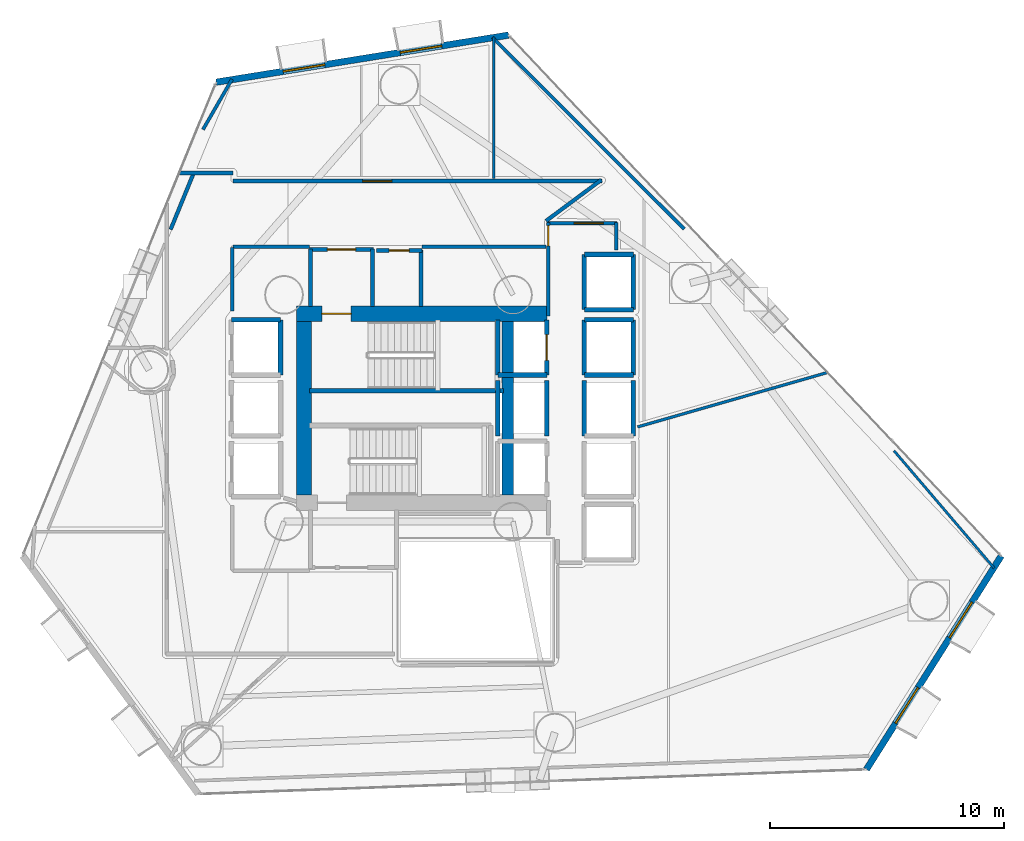
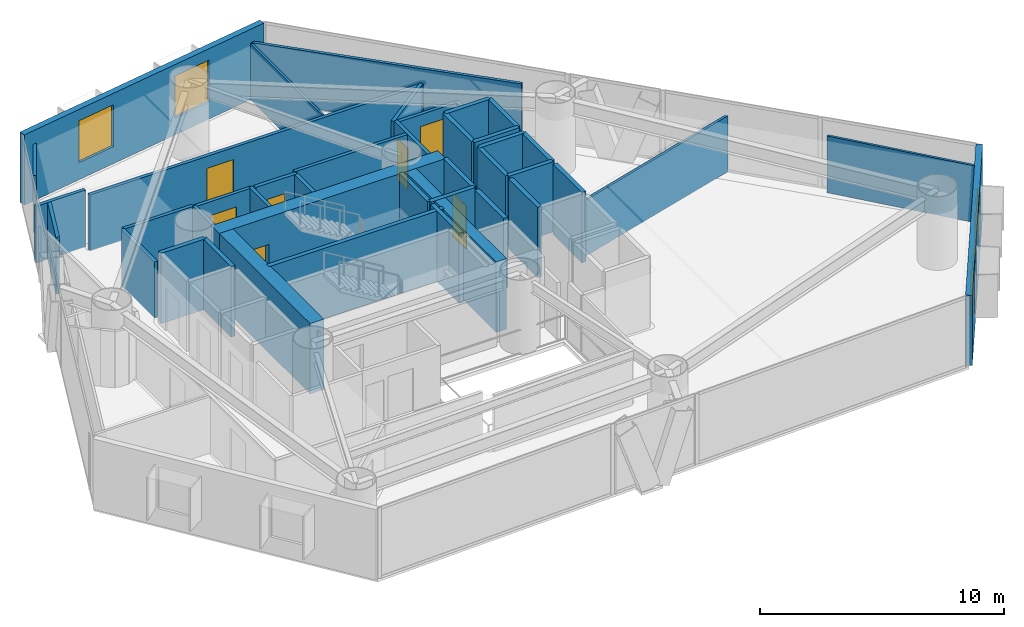
# One storey, part 18 of 23: 43 walls, 7 doors, 4 windows, 11 openings.
"""IFC4 building model written with IfcOpenShell, lengths in metres."""

from ifc_helpers import new_model, si_unit, direction, frame, frame_2d, origin, place, context, subcontext, project, spatial, rectangle, extrude, material, layer, layer_set, type_object, element, fill, save


model = new_model("IFC4")

# Units and contexts
model_context = context("Model", 3, precision=1e-05, world=origin(), true_north=direction((0.0, 1.0)))
body_context = subcontext(model_context, "Body", "Model", "MODEL_VIEW")
ifc_project = project(units=[si_unit("LENGTHUNIT", "METRE"), si_unit("AREAUNIT", "SQUARE_METRE"), si_unit("VOLUMEUNIT", "CUBIC_METRE"), si_unit("PLANEANGLEUNIT", "RADIAN"), si_unit("MASSUNIT", "GRAM", prefix="KILO")], contexts=[model_context])

# Site, building, storey
site_placement = place(None, origin())
site = spatial("IfcSite", under=ifc_project, at=site_placement, CompositionType="ELEMENT")
building_placement = place(site_placement, origin())
building = spatial("IfcBuilding", under=site, at=building_placement, Name="Qianvela Tower", CompositionType="ELEMENT")
storey_placement = place(building_placement, frame((0.0, 0.0, 52.5)))
storey = spatial("IfcBuildingStorey", under=building, at=storey_placement, Name="L12", CompositionType="ELEMENT", Elevation=52.5)

# Wall, openings, windows
ifc_material_1 = material(Name="Terracotta Cladding on Concrete C40", Category="masonry")
ifc_layer_1 = layer(ifc_material_1, 0.280029296875)
ifc_layer_set_1 = layer_set([ifc_layer_1], Name="Terracotta Cladding on Concrete C40")
wall_type_1 = type_object("IfcWallType", Name="TERRACOTTA-WALL-280", PredefinedType="SOLIDWALL", material=ifc_layer_set_1)
wall_1_placement = place(storey_placement, frame((53.524658203125, 13.2392578125, 0.0), z_axis=(0.0, 0.0, 1.0), x_axis=(0.533819575833, 0.84559840377, 0.0)))
wall_1 = element("IfcWall", 1, at=wall_1_placement, inside=storey, type_object=wall_type_1, Name="L12 Terracotta Chamfer Facet Wall 1", PredefinedType="SOLIDWALL", context=body_context, shape_type="SweptSolid", body=[
    extrude(rectangle(XDim=10.80615234375, YDim=0.280029296875, at=frame_2d((5.403076171875, 0.0))), origin(), (0.0, 0.0, 1.0), 3.52001953125),
])
opening_1_placement = place(wall_1_placement, frame((2.341796875, 0.0, 0.85009765625)))
opening_1 = element("IfcOpeningElement", 2, at=opening_1_placement, cuts=wall_1, Name="Opening W-01", PredefinedType="OPENING", context=body_context, shape_type="SweptSolid", body=[
    extrude(rectangle(XDim=1.800048828125, YDim=2.10009765625, at=frame_2d((0.89990234375, 1.050048828125))), frame((0.0, 0.14990234375, 0.0), z_axis=(0.0, -1.0, 0.0), x_axis=(1.0, 0.0, 0.0)), (0.0, 0.0, 1.0), 0.300048828125),
])
opening_2_placement = place(wall_1_placement, frame((6.664306640625, 0.0, 0.85009765625)))
opening_2 = element("IfcOpeningElement", 3, at=opening_2_placement, cuts=wall_1, Name="Opening W-01", PredefinedType="OPENING", context=body_context, shape_type="SweptSolid", body=[
    extrude(rectangle(XDim=1.800048828125, YDim=2.10009765625, at=frame_2d((0.89990234375, 1.050048828125))), frame((0.0, 0.14990234375, 0.0), z_axis=(0.0, -1.0, 0.0), x_axis=(1.0, 0.0, 0.0)), (0.0, 0.0, 1.0), 0.300048828125),
])
ifc_material_2 = material(Name="Thermally Broken Aluminium and Low-E Glass", Category="aluminium")
window_type = type_object("IfcWindowType", Name="WIN-TC-1800x2100", PartitioningType="DOUBLE_PANEL_VERTICAL", PredefinedType="WINDOW", material=ifc_material_2)
window_1_placement = place(opening_1_placement, origin())
window_1 = element("IfcWindow", 4, at=window_1_placement, inside=storey, type_object=window_type, Name="L12 Chamfer Facet Window 1.1", OverallHeight=2.10009765625, OverallWidth=1.800048828125, PartitioningType="SINGLE_PANEL", PredefinedType="WINDOW", context=body_context, shape_type="SweptSolid", body=[
    extrude(rectangle(XDim=1.800048828125, YDim=2.10009765625, at=frame_2d((0.89990234375, 1.050048828125))), frame((0.0, 0.030029296875, 0.0), z_axis=(0.0, -1.0, 0.0), x_axis=(1.0, 0.0, 0.0)), (0.0, 0.0, 1.0), 0.06005859375),
])
fill(opening_1, window_1)
window_2_placement = place(opening_2_placement, origin())
window_2 = element("IfcWindow", 5, at=window_2_placement, inside=storey, type_object=window_type, Name="L12 Chamfer Facet Window 1.2", OverallHeight=2.10009765625, OverallWidth=1.800048828125, PartitioningType="SINGLE_PANEL", PredefinedType="WINDOW", context=body_context, shape_type="SweptSolid", body=[
    extrude(rectangle(XDim=1.800048828125, YDim=2.10009765625, at=frame_2d((0.89990234375, 1.050048828125))), frame((0.0, 0.030029296875, 0.0), z_axis=(0.0, -1.0, 0.0), x_axis=(1.0, 0.0, 0.0)), (0.0, 0.0, 1.0), 0.06005859375),
])
fill(opening_2, window_2)

wall_2_placement = place(storey_placement, frame((38.209716796875, 44.666748046875, 0.0), z_axis=(0.0, 0.0, 1.0), x_axis=(-0.987285743685, -0.158955529366, 0.0)))
wall_2 = element("IfcWall", 6, at=wall_2_placement, inside=storey, type_object=wall_type_1, Name="L12 Terracotta Chamfer Facet Wall 3", PredefinedType="SOLIDWALL", context=body_context, shape_type="SweptSolid", body=[
    extrude(rectangle(XDim=12.668212890625, YDim=0.280029296875, at=frame_2d((6.333984375, 0.0))), origin(), (0.0, 0.0, 1.0), 3.52001953125),
])
opening_3_placement = place(wall_2_placement, frame((2.900390625, 0.0, 0.85009765625)))
opening_3 = element("IfcOpeningElement", 7, at=opening_3_placement, cuts=wall_2, Name="Opening W-01", PredefinedType="OPENING", context=body_context, shape_type="SweptSolid", body=[
    extrude(rectangle(XDim=1.800048828125, YDim=2.10009765625, at=frame_2d((0.89990234375, 1.050048828125))), frame((0.0, 0.14990234375, 0.0), z_axis=(0.0, -1.0, 0.0), x_axis=(1.0, 0.0, 0.0)), (0.0, 0.0, 1.0), 0.300048828125),
])
opening_4_placement = place(wall_2_placement, frame((7.9677734375, 0.0, 0.85009765625)))
opening_4 = element("IfcOpeningElement", 8, at=opening_4_placement, cuts=wall_2, Name="Opening W-01", PredefinedType="OPENING", context=body_context, shape_type="SweptSolid", body=[
    extrude(rectangle(XDim=1.800048828125, YDim=2.10009765625, at=frame_2d((0.89990234375, 1.050048828125))), frame((0.0, 0.14990234375, 0.0), z_axis=(0.0, -1.0, 0.0), x_axis=(1.0, 0.0, 0.0)), (0.0, 0.0, 1.0), 0.300048828125),
])
window_3_placement = place(opening_3_placement, origin())
window_3 = element("IfcWindow", 9, at=window_3_placement, inside=storey, type_object=window_type, Name="L12 Chamfer Facet Window 3.1", OverallHeight=2.10009765625, OverallWidth=1.800048828125, PartitioningType="SINGLE_PANEL", PredefinedType="WINDOW", context=body_context, shape_type="SweptSolid", body=[
    extrude(rectangle(XDim=1.800048828125, YDim=2.10009765625, at=frame_2d((0.89990234375, 1.050048828125))), frame((0.0, 0.030029296875, 0.0), z_axis=(0.0, -1.0, 0.0), x_axis=(1.0, 0.0, 0.0)), (0.0, 0.0, 1.0), 0.06005859375),
])
fill(opening_3, window_3)
window_4_placement = place(opening_4_placement, origin())
window_4 = element("IfcWindow", 10, at=window_4_placement, inside=storey, type_object=window_type, Name="L12 Chamfer Facet Window 3.2", OverallHeight=2.10009765625, OverallWidth=1.800048828125, PartitioningType="SINGLE_PANEL", PredefinedType="WINDOW", context=body_context, shape_type="SweptSolid", body=[
    extrude(rectangle(XDim=1.800048828125, YDim=2.10009765625, at=frame_2d((0.89990234375, 1.050048828125))), frame((0.0, 0.030029296875, 0.0), z_axis=(0.0, -1.0, 0.0), x_axis=(1.0, 0.0, 0.0)), (0.0, 0.0, 1.0), 0.06005859375),
])
fill(opening_4, window_4)

# Wall, opening, door
ifc_material_3 = material(Name="Concrete C60", Category="concrete")
ifc_layer_2 = layer(ifc_material_3, 0.64990234375)
ifc_layer_set_2 = layer_set([ifc_layer_2], Name="Concrete C60")
wall_type_2 = type_object("IfcWallType", Name="WT-CORE-650", PredefinedType="SHEAR", material=ifc_layer_set_2)
wall_3_placement = place(storey_placement, frame((29.1298828125, 32.7451171875, 0.0), z_axis=(0.0, 0.0, 1.0), x_axis=(1.0, 0.0, 0.0)))
wall_3 = element("IfcWall", 11, at=wall_3_placement, inside=storey, type_object=wall_type_2, Name="L12 North Core Shear Wall", PredefinedType="SHEAR", context=body_context, shape_type="SweptSolid", body=[
    extrude(rectangle(XDim=10.72021484375, YDim=0.64990234375, at=frame_2d((5.360107421875, 0.0))), origin(), (0.0, 0.0, 1.0), 3.52001953125),
])
opening_5_placement = place(wall_3_placement, frame((1.094970703125, 0.0, 0.0)))
opening_5 = element("IfcOpeningElement", 12, at=opening_5_placement, cuts=wall_3, Name="Opening D-ST1", PredefinedType="OPENING", context=body_context, shape_type="SweptSolid", body=[
    extrude(rectangle(XDim=1.25, YDim=2.14990234375, at=frame_2d((0.625, 1.074951171875))), frame((0.0, 0.3349609375, 0.0), z_axis=(0.0, -1.0, 0.0), x_axis=(1.0, 0.0, 0.0)), (0.0, 0.0, 1.0), 0.669921875),
])
ifc_material_4 = material(Name="Galvanised Fire Steel Q355B", Category="steel")
door_type_1 = type_object("IfcDoorType", Name="DT-STAIR-FD90", OperationType="NOTDEFINED", PredefinedType="DOOR", material=ifc_material_4)
door_1_placement = place(opening_5_placement, origin())
door_1 = element("IfcDoor", 13, at=door_1_placement, inside=storey, type_object=door_type_1, Name="L12 Stair ST-1 Exit Door", OperationType="SINGLE_SWING_RIGHT", OverallHeight=2.14990234375, OverallWidth=1.25, PredefinedType="DOOR", context=body_context, shape_type="SweptSolid", body=[
    extrude(rectangle(XDim=1.25, YDim=2.14990234375, at=frame_2d((0.625, 1.074951171875))), frame((0.0, 0.02490234375, 0.0), z_axis=(0.0, -1.0, 0.0), x_axis=(1.0, 0.0, 0.0)), (0.0, 0.0, 1.0), 0.050048828125),
])
fill(opening_5, door_1)

# Walls
wall_4_placement = place(storey_placement, frame((29.455078125, 24.97998046875, 0.0), z_axis=(0.0, 0.0, 1.0), x_axis=(0.0, 1.0, 0.0)))
element("IfcWall", 14, at=wall_4_placement, inside=storey, type_object=wall_type_2, Name="L12 West Core Shear Wall", PredefinedType="SHEAR", context=body_context, shape_type="SweptSolid", body=[
    extrude(rectangle(XDim=7.43994140625, YDim=0.64990234375, at=frame_2d((3.719970703125, 0.0))), origin(), (0.0, 0.0, 1.0), 3.52001953125),
])
wall_5_placement = place(storey_placement, frame((38.179931640625, 24.97998046875, 0.0), z_axis=(0.0, 0.0, 1.0), x_axis=(0.0, 1.0, 0.0)))
element("IfcWall", 15, at=wall_5_placement, inside=storey, type_object=wall_type_2, Name="L12 East Spine Core Shear Wall", PredefinedType="SHEAR", context=body_context, shape_type="SweptSolid", body=[
    extrude(rectangle(XDim=7.43994140625, YDim=0.5, at=frame_2d((3.719970703125, 0.0))), origin(), (0.0, 0.0, 1.0), 3.52001953125),
])
ifc_material_5 = material(Name="Fire-Rated Gypsum and Concrete Block", Category="concrete")
ifc_layer_3 = layer(ifc_material_5, 0.159912109375)
ifc_layer_set_3 = layer_set([ifc_layer_3], Name="Fire-Rated Gypsum and Concrete Block")
wall_type_3 = type_object("IfcWallType", Name="WT-CORR-160", PredefinedType="PARTITIONING", material=ifc_layer_set_3)
wall_6_placement = place(storey_placement, frame((29.73095703125, 33.05810546875, 0.0), z_axis=(0.0, 0.0, 1.0), x_axis=(0.0, 1.0, 0.0)))
element("IfcWall", 16, at=wall_6_placement, inside=storey, type_object=wall_type_3, Name="L12 Partition 2", PredefinedType="PARTITIONING", context=body_context, shape_type="SweptSolid", body=[
    extrude(rectangle(XDim=2.4619140625, YDim=0.159912109375, at=frame_2d((1.23095703125, 0.0))), origin(), (0.0, 0.0, 1.0), 2.840087890625),
])

# Wall, opening, door
wall_7_placement = place(storey_placement, frame((29.699951171875, 35.489013671875, 0.0), z_axis=(0.0, 0.0, 1.0), x_axis=(1.0, 0.0, 0.0)))
wall_7 = element("IfcWall", 17, at=wall_7_placement, inside=storey, type_object=wall_type_3, Name="L12 Partition 3", PredefinedType="PARTITIONING", context=body_context, shape_type="SweptSolid", body=[
    extrude(rectangle(XDim=2.719970703125, YDim=0.159912109375, at=frame_2d((1.35986328125, 0.0))), origin(), (0.0, 0.0, 1.0), 2.840087890625),
])
opening_6_placement = place(wall_7_placement, frame((0.760009765625, 0.0, 0.0)))
opening_6 = element("IfcOpeningElement", 18, at=opening_6_placement, cuts=wall_7, Name="Opening D-LB1", PredefinedType="OPENING", context=body_context, shape_type="SweptSolid", body=[
    extrude(rectangle(XDim=1.199951171875, YDim=2.14990234375, at=frame_2d((0.60009765625, 1.074951171875))), frame((0.0, 0.08984375, 0.0), z_axis=(0.0, -1.0, 0.0), x_axis=(1.0, 0.0, 0.0)), (0.0, 0.0, 1.0), 0.179931640625),
])
ifc_material_6 = material(Name="Glazed Fire-Rated Steel Frame", Category="steel")
door_type_2 = type_object("IfcDoorType", Name="DT-LOBBY-FD90", OperationType="NOTDEFINED", PredefinedType="DOOR", material=ifc_material_6)
door_2_placement = place(opening_6_placement, origin())
door_2 = element("IfcDoor", 19, at=door_2_placement, inside=storey, type_object=door_type_2, Name="L12 Door L12 Firefighting Lobby North to L12 Floor Corridor", OperationType="SINGLE_SWING_RIGHT", OverallHeight=2.14990234375, OverallWidth=1.199951171875, PredefinedType="DOOR", context=body_context, shape_type="SweptSolid", body=[
    extrude(rectangle(XDim=1.199951171875, YDim=2.14990234375, at=frame_2d((0.60009765625, 1.074951171875))), frame((0.0, 0.02490234375, 0.0), z_axis=(0.0, -1.0, 0.0), x_axis=(1.0, 0.0, 0.0)), (0.0, 0.0, 1.0), 0.050048828125),
])
fill(opening_6, door_2)

# Wall
wall_8_placement = place(storey_placement, frame((32.388916015625, 35.52001953125, 0.0), z_axis=(0.0, 0.0, 1.0), x_axis=(0.0, -1.0, 0.0)))
element("IfcWall", 20, at=wall_8_placement, inside=storey, type_object=wall_type_3, Name="L12 Partition 4", PredefinedType="PARTITIONING", context=body_context, shape_type="SweptSolid", body=[
    extrude(rectangle(XDim=2.4619140625, YDim=0.159912109375, at=frame_2d((1.23095703125, 0.0))), origin(), (0.0, 0.0, 1.0), 2.840087890625),
])

# Wall, opening, door
wall_9_placement = place(storey_placement, frame((39.910888671875, 32.639892578125, 0.0), z_axis=(0.0, 0.0, 1.0), x_axis=(0.0, 1.0, 0.0)))
wall_9 = element("IfcWall", 21, at=wall_9_placement, inside=storey, type_object=wall_type_3, Name="L12 Partition 10", PredefinedType="PARTITIONING", context=body_context, shape_type="SweptSolid", body=[
    extrude(rectangle(XDim=4.010009765625, YDim=0.159912109375, at=frame_2d((2.0048828125, 0.0))), origin(), (0.0, 0.0, 1.0), 2.840087890625),
])
opening_7_placement = place(wall_9_placement, frame((3.010009765625, 0.0, 0.0)))
opening_7 = element("IfcOpeningElement", 22, at=opening_7_placement, cuts=wall_9, Name="Opening D-LB2", PredefinedType="OPENING", context=body_context, shape_type="SweptSolid", body=[
    extrude(rectangle(XDim=0.860107421875, YDim=2.050048828125, at=frame_2d((0.43017578125, 1.02490234375))), frame((0.0, 0.08984375, 0.0), z_axis=(0.0, -1.0, 0.0), x_axis=(1.0, 0.0, 0.0)), (0.0, 0.0, 1.0), 0.179931640625),
])
ifc_material_7 = material(Name="Insulated Steel Fire Door Q355B", Category="steel")
door_type_3 = type_object("IfcDoorType", Name="DT-LOBBY-FD90-860", OperationType="NOTDEFINED", PredefinedType="DOOR", material=ifc_material_7)
door_3_placement = place(opening_7_placement, origin())
door_3 = element("IfcDoor", 23, at=door_3_placement, inside=storey, type_object=door_type_3, Name="L12 Door L12 Lift Lobby to L12 Floor Corridor", OperationType="SINGLE_SWING_RIGHT", OverallHeight=2.050048828125, OverallWidth=0.860107421875, PredefinedType="DOOR", context=body_context, shape_type="SweptSolid", body=[
    extrude(rectangle(XDim=0.860107421875, YDim=2.050048828125, at=frame_2d((0.43017578125, 1.02490234375))), frame((0.0, 0.02490234375, 0.0), z_axis=(0.0, -1.0, 0.0), x_axis=(1.0, 0.0, 0.0)), (0.0, 0.0, 1.0), 0.050048828125),
])
fill(opening_7, door_3)

wall_10_placement = place(storey_placement, frame((39.8798828125, 36.618896484375, 0.0), z_axis=(0.0, 0.0, 1.0), x_axis=(1.0, 0.0, 0.0)))
wall_10 = element("IfcWall", 24, at=wall_10_placement, inside=storey, type_object=wall_type_3, Name="L12 Partition 11", PredefinedType="PARTITIONING", context=body_context, shape_type="SweptSolid", body=[
    extrude(rectangle(XDim=2.97021484375, YDim=0.159912109375, at=frame_2d((1.485107421875, 0.0))), origin(), (0.0, 0.0, 1.0), 2.798095703125),
])
opening_8_placement = place(wall_10_placement, frame((1.139892578125, 0.0, 0.0)))
opening_8 = element("IfcOpeningElement", 25, at=opening_8_placement, cuts=wall_10, Name="Opening D-LG1", PredefinedType="OPENING", context=body_context, shape_type="SweptSolid", body=[
    extrude(rectangle(XDim=1.25, YDim=2.199951171875, at=frame_2d((0.625, 1.10009765625))), frame((0.0, 0.08984375, 0.0), z_axis=(0.0, -1.0, 0.0), x_axis=(1.0, 0.0, 0.0)), (0.0, 0.0, 1.0), 0.179931640625),
])
ifc_material_8 = material(Name="Anodised Aluminium Acoustic Glass Door", Category="aluminium")
door_type_4 = type_object("IfcDoorType", Name="DT-LOUNGE-1250", OperationType="NOTDEFINED", PredefinedType="DOOR", material=ifc_material_8)
door_4_placement = place(opening_8_placement, origin())
door_4 = element("IfcDoor", 26, at=door_4_placement, inside=storey, type_object=door_type_4, Name="L12 Door Media Practice Cinema L12-03 to L12 Lift Lobby", OperationType="SINGLE_SWING_RIGHT", OverallHeight=2.199951171875, OverallWidth=1.25, PredefinedType="DOOR", context=body_context, shape_type="SweptSolid", body=[
    extrude(rectangle(XDim=1.25, YDim=2.199951171875, at=frame_2d((0.625, 1.10009765625))), frame((0.0, 0.02490234375, 0.0), z_axis=(0.0, -1.0, 0.0), x_axis=(1.0, 0.0, 0.0)), (0.0, 0.0, 1.0), 0.050048828125),
])
fill(opening_8, door_4)

# Walls
wall_11_placement = place(storey_placement, frame((42.819091796875, 36.64990234375, 0.0), z_axis=(0.0, 0.0, 1.0), x_axis=(0.0, -1.0, 0.0)))
element("IfcWall", 27, at=wall_11_placement, inside=storey, type_object=wall_type_3, Name="L12 Partition 12", PredefinedType="PARTITIONING", context=body_context, shape_type="SweptSolid", body=[
    extrude(rectangle(XDim=1.169921875, YDim=0.159912109375, at=frame_2d((0.5849609375, 0.0))), origin(), (0.0, 0.0, 1.0), 2.798095703125),
])
wall_12_placement = place(storey_placement, frame((23.74609375, 36.345947265625, 0.0), z_axis=(0.0, 0.0, 1.0), x_axis=(0.378431081054, 0.925629470627, 0.0)))
element("IfcWall", 28, at=wall_12_placement, inside=storey, type_object=wall_type_3, Name="L12 Partition 36", PredefinedType="PARTITIONING", context=body_context, shape_type="SweptSolid", body=[
    extrude(rectangle(XDim=2.638671875, YDim=0.159912109375, at=frame_2d((1.3193359375, 0.0))), origin(), (0.0, 0.0, 1.0), 2.840087890625),
])
wall_13_placement = place(storey_placement, frame((24.094482421875, 38.76904296875, 0.0), z_axis=(0.0, 0.0, 1.0), x_axis=(1.0, 0.0, 0.0)))
element("IfcWall", 29, at=wall_13_placement, inside=storey, type_object=wall_type_3, Name="L12 Partition 37", PredefinedType="PARTITIONING", context=body_context, shape_type="SweptSolid", body=[
    extrude(rectangle(XDim=2.325439453125, YDim=0.159912109375, at=frame_2d((1.16259765625, 0.0))), origin(), (0.0, 0.0, 1.0), 2.840087890625),
])

# Wall, opening, door
wall_14_placement = place(storey_placement, frame((26.419921875, 38.4189453125, 0.0), z_axis=(0.0, 0.0, 1.0), x_axis=(1.0, 0.0, 0.0)))
wall_14 = element("IfcWall", 30, at=wall_14_placement, inside=storey, type_object=wall_type_3, Name="L12 Partition 38", PredefinedType="PARTITIONING", context=body_context, shape_type="SweptSolid", body=[
    extrude(rectangle(XDim=15.783203125, YDim=0.159912109375, at=frame_2d((7.8916015625, 0.0))), origin(), (0.0, 0.0, 1.0), 2.798095703125),
])
opening_9_placement = place(wall_14_placement, frame((5.54443359375, 0.0, 0.0)))
opening_9 = element("IfcOpeningElement", 31, at=opening_9_placement, cuts=wall_14, Name="Opening D-LG1", PredefinedType="OPENING", context=body_context, shape_type="SweptSolid", body=[
    extrude(rectangle(XDim=1.25, YDim=2.199951171875, at=frame_2d((0.625, 1.10009765625))), frame((0.0, 0.08984375, 0.0), z_axis=(0.0, -1.0, 0.0), x_axis=(1.0, 0.0, 0.0)), (0.0, 0.0, 1.0), 0.179931640625),
])
door_5_placement = place(opening_9_placement, origin())
door_5 = element("IfcDoor", 32, at=door_5_placement, inside=storey, type_object=door_type_4, Name="L12 Door Academic Advising Lounge L12-04 to L12 Floor Corridor", OperationType="SINGLE_SWING_LEFT", OverallHeight=2.199951171875, OverallWidth=1.25, PredefinedType="DOOR", context=body_context, shape_type="SweptSolid", body=[
    extrude(rectangle(XDim=1.25, YDim=2.199951171875, at=frame_2d((0.625, 1.10009765625))), frame((0.0, 0.02490234375, 0.0), z_axis=(0.0, -1.0, 0.0), x_axis=(1.0, 0.0, 0.0)), (0.0, 0.0, 1.0), 0.050048828125),
])
fill(opening_9, door_5)

# Walls
wall_15_placement = place(storey_placement, frame((42.1845703125, 38.474853515625, 0.0), z_axis=(0.0, 0.0, 1.0), x_axis=(-0.802818467394, -0.596223538961, 0.0)))
element("IfcWall", 33, at=wall_15_placement, inside=storey, type_object=wall_type_3, Name="L12 Partition 39", PredefinedType="PARTITIONING", context=body_context, shape_type="SweptSolid", body=[
    extrude(rectangle(XDim=2.953125, YDim=0.159912109375, at=frame_2d((1.4765625, 0.0))), origin(), (0.0, 0.0, 1.0), 2.798095703125),
])
wall_16_placement = place(storey_placement, frame((39.818115234375, 35.611083984375, 0.0), z_axis=(0.0, 0.0, 1.0), x_axis=(-1.0, 0.0, 0.0)))
element("IfcWall", 34, at=wall_16_placement, inside=storey, type_object=wall_type_3, Name="L12 Partition 41 seg 1", PredefinedType="PARTITIONING", context=body_context, shape_type="SweptSolid", body=[
    extrude(rectangle(XDim=5.318115234375, YDim=0.159912109375, at=frame_2d((2.6591796875, 0.0))), origin(), (0.0, 0.0, 1.0), 2.840087890625),
])
wall_17_placement = place(storey_placement, frame((29.699951171875, 35.611083984375, 0.0), z_axis=(0.0, 0.0, 1.0), x_axis=(-1.0, 0.0, 0.0)))
element("IfcWall", 35, at=wall_17_placement, inside=storey, type_object=wall_type_3, Name="L12 Partition 41 seg 3", PredefinedType="PARTITIONING", context=body_context, shape_type="SweptSolid", body=[
    extrude(rectangle(XDim=3.280029296875, YDim=0.159912109375, at=frame_2d((1.64013671875, 0.0))), origin(), (0.0, 0.0, 1.0), 2.798095703125),
])
wall_18_placement = place(storey_placement, frame((26.388916015625, 35.580078125, 0.0), z_axis=(0.0, 0.0, 1.0), x_axis=(0.0, -1.0, 0.0)))
element("IfcWall", 36, at=wall_18_placement, inside=storey, type_object=wall_type_3, Name="L12 Partition 42", PredefinedType="PARTITIONING", context=body_context, shape_type="SweptSolid", body=[
    extrude(rectangle(XDim=2.71044921875, YDim=0.159912109375, at=frame_2d((1.355224609375, 0.0))), origin(), (0.0, 0.0, 1.0), 2.798095703125),
])
ifc_material_9 = material(Name="Lightweight Gypsum Room Partition")
ifc_layer_4 = layer(ifc_material_9, 0.10498046875)
ifc_layer_set_4 = layer_set([ifc_layer_4], Name="Lightweight Gypsum Room Partition")
wall_type_4 = type_object("IfcWallType", Name="WT-PART-105", PredefinedType="PARTITIONING", material=ifc_layer_set_4)
wall_19_placement = place(storey_placement, frame((54.70654296875, 26.876953125, 0.0), z_axis=(0.0, 0.0, 1.0), x_axis=(0.64926916807, -0.760558707395, 0.0)))
element("IfcWall", 37, at=wall_19_placement, inside=storey, type_object=wall_type_4, Name="L12 Partition 70 seg 1", PredefinedType="PARTITIONING", context=body_context, shape_type="SweptSolid", body=[
    extrude(rectangle(XDim=6.5966796875, YDim=0.10498046875, at=frame_2d((3.29833984375, 0.0))), origin(), (0.0, 0.0, 1.0), 2.840087890625),
])
wall_20_placement = place(storey_placement, frame((37.572998046875, 38.530029296875, 0.0), z_axis=(0.0, 0.0, 1.0), x_axis=(0.0, 1.0, 0.0)))
element("IfcWall", 38, at=wall_20_placement, inside=storey, type_object=wall_type_4, Name="L12 Partition 82", PredefinedType="PARTITIONING", context=body_context, shape_type="SweptSolid", body=[
    extrude(rectangle(XDim=6.05419921875, YDim=0.10498046875, at=frame_2d((3.027099609375, 0.0))), origin(), (0.0, 0.0, 1.0), 2.798095703125),
])
ifc_material_10 = material(Name="Insulated Gypsum Stud Partition")
ifc_layer_5 = layer(ifc_material_10, 0.1201171875)
ifc_layer_set_5 = layer_set([ifc_layer_5], Name="Insulated Gypsum Stud Partition")
wall_type_5 = type_object("IfcWallType", Name="WT-PART-120", PredefinedType="PARTITIONING", material=ifc_layer_set_5)
wall_21_placement = place(storey_placement, frame((43.728515625, 27.897216796875, 0.0), z_axis=(0.0, 0.0, 1.0), x_axis=(0.961259634344, 0.275644545349, 0.0)))
element("IfcWall", 39, at=wall_21_placement, inside=storey, type_object=wall_type_5, Name="L12 Partition 69", PredefinedType="PARTITIONING", context=body_context, shape_type="SweptSolid", body=[
    extrude(rectangle(XDim=8.484130859375, YDim=0.1201171875, at=frame_2d((4.2421875, 0.0))), origin(), (0.0, 0.0, 1.0), 2.798095703125),
])

# Wall, opening, door
ifc_material_11 = material(Name="Moisture-Resistant Acoustic Plumbing Wall")
ifc_layer_6 = layer(ifc_material_11, 0.175048828125)
ifc_layer_set_6 = layer_set([ifc_layer_6], Name="Moisture-Resistant Acoustic Plumbing Wall")
wall_type_6 = type_object("IfcWallType", Name="WT-PLUMB-175", PredefinedType="PLUMBINGWALL", material=ifc_layer_set_6)
wall_22_placement = place(storey_placement, frame((32.550048828125, 35.448974609375, 0.0), z_axis=(0.0, 0.0, 1.0), x_axis=(1.0, 0.0, 0.0)))
wall_22 = element("IfcWall", 40, at=wall_22_placement, inside=storey, type_object=wall_type_6, Name="L12 Partition 20", PredefinedType="PLUMBINGWALL", context=body_context, shape_type="SweptSolid", body=[
    extrude(rectangle(XDim=1.949951171875, YDim=0.175048828125, at=frame_2d((0.97509765625, 0.0))), origin(), (0.0, 0.0, 1.0), 2.840087890625),
])
opening_10_placement = place(wall_22_placement, frame((0.544921875, 0.0, 0.0)))
opening_10 = element("IfcOpeningElement", 41, at=opening_10_placement, cuts=wall_22, Name="Opening D-WC1", PredefinedType="OPENING", context=body_context, shape_type="SweptSolid", body=[
    extrude(rectangle(XDim=0.860107421875, YDim=2.050048828125, at=frame_2d((0.43017578125, 1.02490234375))), frame((0.0, 0.097412109375, 0.0), z_axis=(0.0, -1.0, 0.0), x_axis=(1.0, 0.0, 0.0)), (0.0, 0.0, 1.0), 0.195068359375),
])
ifc_material_12 = material(Name="Moisture-Sealed Acoustic Timber Door", Category="wood")
door_type_5 = type_object("IfcDoorType", Name="DT-WC-860", OperationType="NOTDEFINED", PredefinedType="DOOR", material=ifc_material_12)
door_6_placement = place(opening_10_placement, origin())
door_6 = element("IfcDoor", 42, at=door_6_placement, inside=storey, type_object=door_type_5, Name="L12 Door L12 Accessible WC to L12 Floor Corridor", OperationType="SINGLE_SWING_LEFT", OverallHeight=2.050048828125, OverallWidth=0.860107421875, PredefinedType="DOOR", context=body_context, shape_type="SweptSolid", body=[
    extrude(rectangle(XDim=0.860107421875, YDim=2.050048828125, at=frame_2d((0.43017578125, 1.02490234375))), frame((0.0, 0.02490234375, 0.0), z_axis=(0.0, -1.0, 0.0), x_axis=(1.0, 0.0, 0.0)), (0.0, 0.0, 1.0), 0.050048828125),
])
fill(opening_10, door_6)

# Walls
wall_23_placement = place(storey_placement, frame((34.468994140625, 35.47998046875, 0.0), z_axis=(0.0, 0.0, 1.0), x_axis=(0.0, -1.0, 0.0)))
element("IfcWall", 43, at=wall_23_placement, inside=storey, type_object=wall_type_6, Name="L12 Partition 21", PredefinedType="PLUMBINGWALL", context=body_context, shape_type="SweptSolid", body=[
    extrude(rectangle(XDim=2.421875, YDim=0.175048828125, at=frame_2d((1.2109375, 0.0))), origin(), (0.0, 0.0, 1.0), 2.840087890625),
])
ifc_material_13 = material(Name="Acoustic Double Gypsum Stud Partition")
ifc_layer_7 = layer(ifc_material_13, 0.139892578125)
ifc_layer_set_7 = layer_set([ifc_layer_7], Name="Acoustic Double Gypsum Stud Partition")
wall_type_7 = type_object("IfcWallType", Name="WT-ROOM-140", PredefinedType="PARTITIONING", material=ifc_layer_set_7)
wall_24_placement = place(storey_placement, frame((37.508056640625, 44.5703125, 0.0), z_axis=(0.0, 0.0, 1.0), x_axis=(0.707905248795, -0.706307410926, 0.0)))
element("IfcWall", 44, at=wall_24_placement, inside=storey, type_object=wall_type_7, Name="L12 Partition 83 seg 1", PredefinedType="PARTITIONING", context=body_context, shape_type="SweptSolid", body=[
    extrude(rectangle(XDim=11.6123046875, YDim=0.139892578125, at=frame_2d((5.80615234375, 0.0))), origin(), (0.0, 0.0, 1.0), 2.840087890625),
])
wall_25_placement = place(storey_placement, frame((25.1328125, 40.625244140625, 0.0), z_axis=(0.0, 0.0, 1.0), x_axis=(0.500087857052, 0.865974673549, 0.0)))
element("IfcWall", 45, at=wall_25_placement, inside=storey, type_object=wall_type_7, Name="L12 Partition 86 seg 1", PredefinedType="PARTITIONING", context=body_context, shape_type="SweptSolid", body=[
    extrude(rectangle(XDim=2.48681640625, YDim=0.139892578125, at=frame_2d((1.243408203125, 0.0))), origin(), (0.0, 0.0, 1.0), 2.840087890625),
])
ifc_material_14 = material(Name="Concrete C50", Category="concrete")
ifc_layer_8 = layer(ifc_material_14, 0.199951171875)
ifc_layer_set_8 = layer_set([ifc_layer_8], Name="Concrete C50")
wall_type_8 = type_object("IfcWallType", Name="WT-SHAFT-200", PredefinedType="SOLIDWALL", material=ifc_layer_set_8)
wall_26_placement = place(storey_placement, frame((29.699951171875, 29.449951171875, 0.0), z_axis=(0.0, 0.0, 1.0), x_axis=(1.0, 0.0, 0.0)))
element("IfcWall", 46, at=wall_26_placement, inside=storey, type_object=wall_type_8, Name="L12 Stair ST-1 South Wall", PredefinedType="SOLIDWALL", context=body_context, shape_type="SweptSolid", body=[
    extrude(rectangle(XDim=8.300048828125, YDim=0.199951171875, at=frame_2d((4.14990234375, 0.0))), origin(), (0.0, 0.0, 1.0), 3.52001953125),
])

# Wall, opening, door
wall_27_placement = place(storey_placement, frame((39.85009765625, 30.1201171875, 0.0), z_axis=(0.0, 0.0, 1.0), x_axis=(0.0, 1.0, 0.0)))
wall_27 = element("IfcWall", 47, at=wall_27_placement, inside=storey, type_object=wall_type_8, Name="L12 Lift FL-1 E Shaft Wall", PredefinedType="SOLIDWALL", context=body_context, shape_type="SweptSolid", body=[
    extrude(rectangle(XDim=2.35986328125, YDim=0.199951171875, at=frame_2d((1.179931640625, 0.0))), origin(), (0.0, 0.0, 1.0), 3.52001953125),
])
opening_11_placement = place(wall_27_placement, frame((0.6298828125, 0.0, 0.0)))
opening_11 = element("IfcOpeningElement", 48, at=opening_11_placement, cuts=wall_27, Name="Opening LD-01", PredefinedType="OPENING", context=body_context, shape_type="SweptSolid", body=[
    extrude(rectangle(XDim=1.10009765625, YDim=2.14990234375, at=frame_2d((0.550048828125, 1.074951171875))), frame((0.0, 0.10986328125, 0.0), z_axis=(0.0, -1.0, 0.0), x_axis=(1.0, 0.0, 0.0)), (0.0, 0.0, 1.0), 0.219970703125),
])
ifc_material_15 = material(Name="Brushed Stainless Steel Lift Landing Door", Category="steel")
door_type_6 = type_object("IfcDoorType", Name="DT-LIFT-SLIDE-1100", OperationType="SLIDING_TO_LEFT", PredefinedType="DOOR", material=ifc_material_15)
door_7_placement = place(opening_11_placement, origin())
door_7 = element("IfcDoor", 49, at=door_7_placement, inside=storey, type_object=door_type_6, Name="L12 Lift FL-1 Sliding Landing Door", OperationType="SLIDING_TO_LEFT", OverallHeight=2.14990234375, OverallWidth=1.10009765625, PredefinedType="DOOR", context=body_context, shape_type="SweptSolid", body=[
    extrude(rectangle(XDim=1.10009765625, YDim=2.14990234375, at=frame_2d((0.550048828125, 1.074951171875))), frame((0.0, 0.02490234375, 0.0), z_axis=(0.0, -1.0, 0.0), x_axis=(1.0, 0.0, 0.0)), (0.0, 0.0, 1.0), 0.050048828125),
])
fill(opening_11, door_7)

# Walls
wall_28_placement = place(storey_placement, frame((37.75, 30.1201171875, 0.0), z_axis=(0.0, 0.0, 1.0), x_axis=(0.0, 1.0, 0.0)))
element("IfcWall", 50, at=wall_28_placement, inside=storey, type_object=wall_type_8, Name="L12 Lift FL-1 W Shaft Wall", PredefinedType="SOLIDWALL", context=body_context, shape_type="SweptSolid", body=[
    extrude(rectangle(XDim=2.35986328125, YDim=0.199951171875, at=frame_2d((1.179931640625, 0.0))), origin(), (0.0, 0.0, 1.0), 3.52001953125),
])
wall_29_placement = place(storey_placement, frame((37.75, 30.1201171875, 0.0), z_axis=(0.0, 0.0, 1.0), x_axis=(1.0, 0.0, 0.0)))
element("IfcWall", 51, at=wall_29_placement, inside=storey, type_object=wall_type_8, Name="L12 Lift FL-1 S Shaft Wall", PredefinedType="SOLIDWALL", context=body_context, shape_type="SweptSolid", body=[
    extrude(rectangle(XDim=2.10009765625, YDim=0.199951171875, at=frame_2d((1.050048828125, 0.0))), origin(), (0.0, 0.0, 1.0), 3.52001953125),
])
wall_30_placement = place(storey_placement, frame((28.449951171875, 30.1201171875, 0.0), z_axis=(0.0, 0.0, 1.0), x_axis=(0.0, 1.0, 0.0)))
element("IfcWall", 52, at=wall_30_placement, inside=storey, type_object=wall_type_8, Name="L12 Lift PL-L1 E Shaft Wall", PredefinedType="SOLIDWALL", context=body_context, shape_type="SweptSolid", body=[
    extrude(rectangle(XDim=2.35986328125, YDim=0.199951171875, at=frame_2d((1.179931640625, 0.0))), origin(), (0.0, 0.0, 1.0), 3.52001953125),
])
wall_31_placement = place(storey_placement, frame((26.35009765625, 32.47998046875, 0.0), z_axis=(0.0, 0.0, 1.0), x_axis=(1.0, 0.0, 0.0)))
element("IfcWall", 53, at=wall_31_placement, inside=storey, type_object=wall_type_8, Name="L12 Lift PL-L1 N Shaft Wall", PredefinedType="SOLIDWALL", context=body_context, shape_type="SweptSolid", body=[
    extrude(rectangle(XDim=2.099853515625, YDim=0.199951171875, at=frame_2d((1.0498046875, 0.0))), origin(), (0.0, 0.0, 1.0), 3.52001953125),
])
for number, where, z_axis, x_axis, name in (
    (54, (43.550048828125, 30.1201171875, 0.0), (0.0, 0.0, 1.0), (0.0, 1.0, 0.0), "L12 Lift PL-M1 E Shaft Wall"),
    (55, (41.449951171875, 30.1201171875, 0.0), (0.0, 0.0, 1.0), (0.0, 1.0, 0.0), "L12 Lift PL-M1 W Shaft Wall"),
):
    element("IfcWall", number, at=place(storey_placement, frame(where, z_axis=z_axis, x_axis=x_axis)), inside=storey, type_object=wall_type_8, Name=name, PredefinedType="SOLIDWALL", context=body_context, shape_type="SweptSolid", body=[
        extrude(rectangle(XDim=2.35986328125, YDim=0.199951171875, at=frame_2d((1.179931640625, 0.0))), origin(), (0.0, 0.0, 1.0), 3.52001953125),
    ])
for number, where, z_axis, x_axis, name in (
    (56, (41.449951171875, 32.47998046875, 0.0), (0.0, 0.0, 1.0), (1.0, 0.0, 0.0), "L12 Lift PL-M1 N Shaft Wall"),
    (57, (41.449951171875, 30.1201171875, 0.0), (0.0, 0.0, 1.0), (1.0, 0.0, 0.0), "L12 Lift PL-M1 S Shaft Wall"),
):
    element("IfcWall", number, at=place(storey_placement, frame(where, z_axis=z_axis, x_axis=x_axis)), inside=storey, type_object=wall_type_8, Name=name, PredefinedType="SOLIDWALL", context=body_context, shape_type="SweptSolid", body=[
        extrude(rectangle(XDim=2.10009765625, YDim=0.199951171875, at=frame_2d((1.050048828125, 0.0))), origin(), (0.0, 0.0, 1.0), 3.52001953125),
    ])
for number, where, z_axis, x_axis, name in (
    (58, (43.550048828125, 27.52001953125, 0.0), (0.0, 0.0, 1.0), (0.0, 1.0, 0.0), "L12 Lift PL-M2 E Shaft Wall"),
    (59, (41.449951171875, 27.52001953125, 0.0), (0.0, 0.0, 1.0), (0.0, 1.0, 0.0), "L12 Lift PL-M2 W Shaft Wall"),
    (60, (39.85009765625, 27.52001953125, 0.0), (0.0, 0.0, 1.0), (0.0, 1.0, 0.0), "L12 Lift PL-H1 E Shaft Wall"),
    (61, (37.75, 27.52001953125, 0.0), (0.0, 0.0, 1.0), (0.0, 1.0, 0.0), "L12 Lift PL-H1 W Shaft Wall"),
):
    element("IfcWall", number, at=place(storey_placement, frame(where, z_axis=z_axis, x_axis=x_axis)), inside=storey, type_object=wall_type_8, Name=name, PredefinedType="SOLIDWALL", context=body_context, shape_type="SweptSolid", body=[
        extrude(rectangle(XDim=2.35986328125, YDim=0.199951171875, at=frame_2d((1.179931640625, 0.0))), origin(), (0.0, 0.0, 1.0), 3.52001953125),
    ])
for number, where, z_axis, x_axis, name in (
    (62, (43.550048828125, 32.919921875, 0.0), (0.0, 0.0, 1.0), (0.0, 1.0, 0.0), "L12 Lift PL-H3 E Shaft Wall"),
    (63, (41.449951171875, 32.919921875, 0.0), (0.0, 0.0, 1.0), (0.0, 1.0, 0.0), "L12 Lift PL-H3 W Shaft Wall"),
):
    element("IfcWall", number, at=place(storey_placement, frame(where, z_axis=z_axis, x_axis=x_axis)), inside=storey, type_object=wall_type_8, Name=name, PredefinedType="SOLIDWALL", context=body_context, shape_type="SweptSolid", body=[
        extrude(rectangle(XDim=2.360107421875, YDim=0.199951171875, at=frame_2d((1.18017578125, 0.0))), origin(), (0.0, 0.0, 1.0), 3.52001953125),
    ])
for number, where, z_axis, x_axis, name in (
    (64, (41.449951171875, 35.280029296875, 0.0), (0.0, 0.0, 1.0), (1.0, 0.0, 0.0), "L12 Lift PL-H3 N Shaft Wall"),
    (65, (41.449951171875, 32.919921875, 0.0), (0.0, 0.0, 1.0), (1.0, 0.0, 0.0), "L12 Lift PL-H3 S Shaft Wall"),
):
    element("IfcWall", number, at=place(storey_placement, frame(where, z_axis=z_axis, x_axis=x_axis)), inside=storey, type_object=wall_type_8, Name=name, PredefinedType="SOLIDWALL", context=body_context, shape_type="SweptSolid", body=[
        extrude(rectangle(XDim=2.10009765625, YDim=0.199951171875, at=frame_2d((1.050048828125, 0.0))), origin(), (0.0, 0.0, 1.0), 3.52001953125),
    ])

save(model, "model.ifc")
